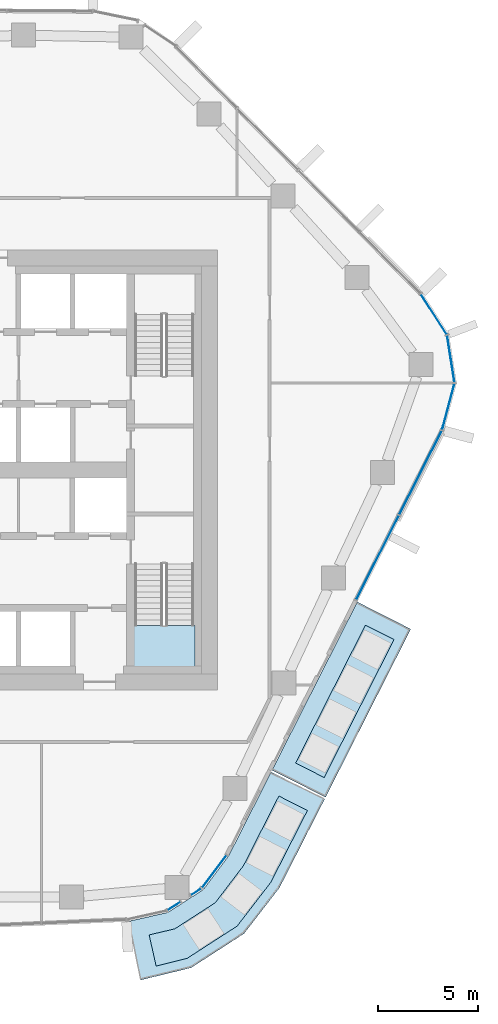
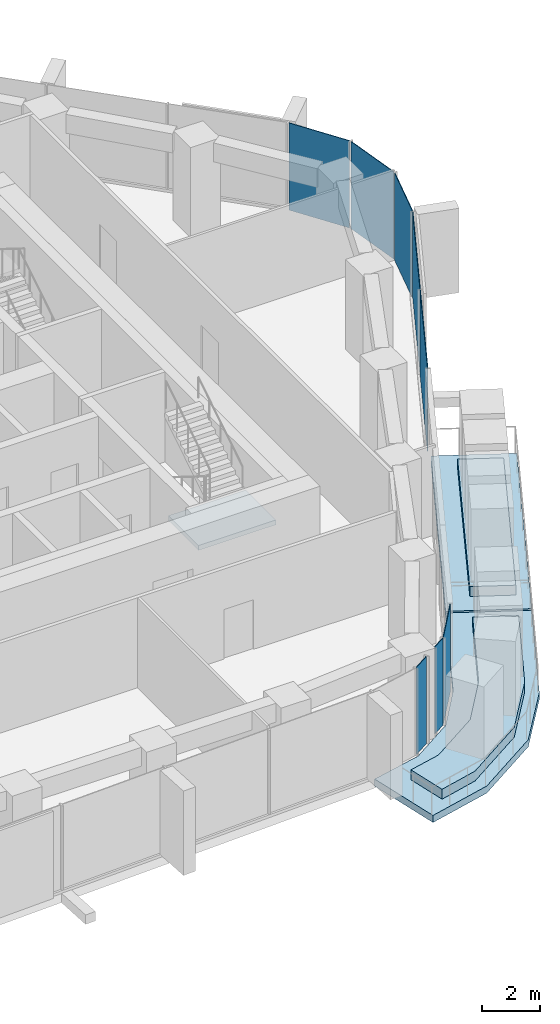
# One storey, part 9 of 17: 8 plates, 5 slabs, 5 elements without a shape of their own.
"""IFC4 building model written with IfcOpenShell, lengths in metres."""

from ifc_helpers import new_model, si_unit, direction, frame, origin, origin_2d, place, context, subcontext, project, spatial, polyline, rectangle, outline, extrude, material, layer, layer_set, type_object, element, aggregate, save


model = new_model("IFC4")

# Units and contexts
model_context = context("Model", 3, precision=1e-05, world=origin(), true_north=direction((0.0, 1.0)))
body_context = subcontext(model_context, "Body", "Model", "MODEL_VIEW")
ifc_project = project(units=[si_unit("LENGTHUNIT", "METRE"), si_unit("AREAUNIT", "SQUARE_METRE"), si_unit("VOLUMEUNIT", "CUBIC_METRE"), si_unit("PLANEANGLEUNIT", "RADIAN"), si_unit("MASSUNIT", "GRAM", prefix="KILO")], contexts=[model_context])

# Site, building, storey
site_placement = place(None, origin())
site = spatial("IfcSite", under=ifc_project, at=site_placement, CompositionType="ELEMENT")
building_placement = place(site_placement, origin())
building = spatial("IfcBuilding", under=site, at=building_placement, Name="Dongbaek Canopy Tower", CompositionType="ELEMENT")
storey_placement = place(building_placement, frame((0.0, 0.0, 175.39990234375)))
storey = spatial("IfcBuildingStorey", under=building, at=storey_placement, Name="L38", CompositionType="ELEMENT", Elevation=175.39990234375)

# Slabs
ifc_material_1 = material(Name="Concrete C40/50", Category="concrete")
ifc_layer_1 = layer(ifc_material_1, 0.300048828125)
ifc_layer_set_1 = layer_set([ifc_layer_1], Name="Balcony slab 300")
slab_type_1 = type_object("IfcSlabType", Name="Balcony slab 300", PredefinedType="FLOOR", material=ifc_layer_set_1)
slab_1_placement = place(storey_placement, frame((0.0, 0.0, -0.2998046875)))
element("IfcSlab", 1, at=slab_1_placement, inside=storey, type_object=slab_type_1, Name="Balcony L38 1", PredefinedType="FLOOR", context=body_context, shape_type="SweptSolid", body=[
    extrude(outline(polyline([(16.719482421875, -15.018798828125), (20.982177734375, -6.60693359375), (23.658203125, -7.962890625), (19.395751953125, -16.374755859375), (16.719482421875, -15.018798828125)])), origin(), (0.0, 0.0, 1.0), 0.2998046875),
])
slab_2_placement = place(storey_placement, frame((0.0, 0.0, -0.2998046875)))
element("IfcSlab", 2, at=slab_2_placement, inside=storey, type_object=slab_type_1, Name="Balcony L38 2", PredefinedType="FLOOR", context=body_context, shape_type="SweptSolid", body=[
    extrude(outline(polyline([(9.501708984375, -22.585205078125), (11.50732421875, -22.13671875), (13.27685546875, -20.995849609375), (14.543212890625, -19.31396484375), (16.67431640625, -15.10791015625), (19.350341796875, -16.464111328125), (17.08935546875, -20.900390625), (15.319580078125, -23.192626953125), (12.66552734375, -24.904052734375), (10.156494140625, -25.512939453125), (9.501708984375, -22.585205078125)])), origin(), (0.0, 0.0, 1.0), 0.2998046875),
])

# Curtain wall, plates
ifc_material_2 = material(Name="Aluminium 6063-T6 pale anodised", Category="aluminium")
ifc_layer_2 = layer(ifc_material_2, 0.199951171875)
ifc_layer_set_2 = layer_set([ifc_layer_2], Name="CW-1 unitised tower curtain wall")
curtain_wall_type = type_object("IfcCurtainWallType", Name="CW-1 unitised tower curtain wall", PredefinedType="NOTDEFINED", material=ifc_layer_set_2)
curtain_wall_1_placement = place(storey_placement, origin())
curtain_wall_1 = element("IfcCurtainWall", 3, at=curtain_wall_1_placement, inside=storey, type_object=curtain_wall_type, Name="CW-1 curtain wall K0.1", PredefinedType="NOTDEFINED")
ifc_material_3 = material(Name="Clear laminated glass", Category="glass")
ifc_layer_3 = layer(ifc_material_3, 0.028076171875)
ifc_layer_set_3 = layer_set([ifc_layer_3], Name="CW-1 glazed panel 28")
plate_type = type_object("IfcPlateType", Name="CW-1 glazed panel 28", PredefinedType="CURTAIN_PANEL", material=ifc_layer_set_3)
plate_1_placement = place(storey_placement, frame((25.5341796875, 3.157470703125, 0.0), z_axis=(0.0, 0.0, 1.0), x_axis=(0.257917045436, 0.966167065095, 0.0)))
plate_1 = element("IfcPlate", 4, at=plate_1_placement, type_object=plate_type, Name="CW-1 panel K0.1.1.1", PredefinedType="CURTAIN_PANEL", context=body_context, shape_type="SweptSolid", body=[
    extrude(rectangle(XDim=2.3642578125, YDim=0.028076171875, at=origin_2d()), origin(), (0.0, 0.0, 1.0), 3.699951171875),
])
plate_2_placement = place(storey_placement, frame((25.661376953125, 5.544189453125, 0.0), z_axis=(0.0, 0.0, 1.0), x_axis=(-0.15481117867, 0.987944076838, 0.0)))
plate_2 = element("IfcPlate", 5, at=plate_2_placement, type_object=plate_type, Name="CW-1 panel K0.1.2.1", PredefinedType="CURTAIN_PANEL", context=body_context, shape_type="SweptSolid", body=[
    extrude(rectangle(XDim=2.353515625, YDim=0.028076171875, at=origin_2d()), origin(), (0.0, 0.0, 1.0), 3.699951171875),
])
plate_3_placement = place(storey_placement, frame((24.810302734375, 7.777587890625, 0.0), z_axis=(0.0, 0.0, 1.0), x_axis=(-0.541094739105, 0.840961641998, 0.0)))
plate_3 = element("IfcPlate", 6, at=plate_3_placement, type_object=plate_type, Name="CW-1 panel K0.1.3.1", PredefinedType="CURTAIN_PANEL", context=body_context, shape_type="SweptSolid", body=[
    extrude(rectangle(XDim=2.3642578125, YDim=0.028076171875, at=origin_2d()), origin(), (0.0, 0.0, 1.0), 3.699951171875),
])
aggregate(curtain_wall_1, [plate_1, plate_2, plate_3])

# Curtain wall, plate
curtain_wall_2_placement = place(storey_placement, origin())
curtain_wall_2 = element("IfcCurtainWall", 7, at=curtain_wall_2_placement, inside=storey, type_object=curtain_wall_type, Name="CW-1 curtain wall K5.1a", PredefinedType="NOTDEFINED")
plate_4_placement = place(storey_placement, frame((11.816162109375, -21.818603515625, 0.0), z_axis=(0.0, 0.0, 1.0), x_axis=(0.8404317739, 0.541917367704, 0.0)))
plate_4 = element("IfcPlate", 8, at=plate_4_placement, type_object=plate_type, Name="CW-1 panel K5.1a.2.1", PredefinedType="CURTAIN_PANEL", context=body_context, shape_type="SweptSolid", body=[
    extrude(rectangle(XDim=0.744140625, YDim=0.028076171875, at=origin_2d()), origin(), (0.0, 0.0, 1.0), 3.699951171875),
])
aggregate(curtain_wall_2, [plate_4])

# Curtain wall, plates
curtain_wall_3_placement = place(storey_placement, origin())
curtain_wall_3 = element("IfcCurtainWall", 9, at=curtain_wall_3_placement, inside=storey, type_object=curtain_wall_type, Name="CW-1 curtain wall K5.1b", PredefinedType="NOTDEFINED")
plate_5_placement = place(storey_placement, frame((12.925048828125, -21.103515625, 0.0), z_axis=(0.0, 0.0, 1.0), x_axis=(0.8404317739, 0.541917367704, 0.0)))
plate_5 = element("IfcPlate", 10, at=plate_5_placement, type_object=plate_type, Name="CW-1 panel K5.1b.1.1", PredefinedType="CURTAIN_PANEL", context=body_context, shape_type="SweptSolid", body=[
    extrude(rectangle(XDim=0.58837890625, YDim=0.028076171875, at=origin_2d()), origin(), (0.0, 0.0, 1.0), 3.699951171875),
])
plate_6_placement = place(storey_placement, frame((13.832763671875, -20.091064453125, 0.0), z_axis=(0.0, 0.0, 1.0), x_axis=(0.601494827227, 0.798876694377, 0.0)))
plate_6 = element("IfcPlate", 11, at=plate_6_placement, type_object=plate_type, Name="CW-1 panel K5.1b.2.1", PredefinedType="CURTAIN_PANEL", context=body_context, shape_type="SweptSolid", body=[
    extrude(rectangle(XDim=1.99462890625, YDim=0.028076171875, at=origin_2d()), origin(), (0.0, 0.0, 1.0), 3.699951171875),
])
aggregate(curtain_wall_3, [plate_5, plate_6])

curtain_wall_4_placement = place(storey_placement, origin())
curtain_wall_4 = element("IfcCurtainWall", 12, at=curtain_wall_4_placement, inside=storey, type_object=curtain_wall_type, Name="CW-1 curtain wall F5.1", PredefinedType="NOTDEFINED")
plate_7_placement = place(storey_placement, frame((21.992431640625, -4.391845703125, 0.1201171875), z_axis=(0.0, 0.0, 1.0), x_axis=(0.452009379459, 0.892013184253, 0.0)))
plate_7 = element("IfcPlate", 13, at=plate_7_placement, type_object=plate_type, Name="CW-1 panel F5.1.1.1", PredefinedType="CURTAIN_PANEL", context=body_context, shape_type="SweptSolid", body=[
    extrude(rectangle(XDim=4.68115234375, YDim=0.028076171875, at=origin_2d()), origin(), (0.0, 0.0, 1.0), 3.580078125),
])
plate_8_placement = place(storey_placement, frame((24.14404296875, -0.14599609375, 0.1201171875), z_axis=(0.0, 0.0, 1.0), x_axis=(0.452009379459, 0.892013184253, 0.0)))
plate_8 = element("IfcPlate", 14, at=plate_8_placement, type_object=plate_type, Name="CW-1 panel F5.1.2.1", PredefinedType="CURTAIN_PANEL", context=body_context, shape_type="SweptSolid", body=[
    extrude(rectangle(XDim=4.670654296875, YDim=0.028076171875, at=origin_2d()), origin(), (0.0, 0.0, 1.0), 3.580078125),
])
aggregate(curtain_wall_4, [plate_7, plate_8])

# Stair, slab
ifc_material_4 = material(Name="Concrete C40/50", Category="concrete")
stair_type = type_object("IfcStairType", Name="Core exit stair", PredefinedType="HALF_TURN_STAIR", material=ifc_material_4)
stair_placement = place(storey_placement, origin())
stair = element("IfcStair", 15, at=stair_placement, inside=storey, type_object=stair_type, Name="L38 exit stair B", PredefinedType="HALF_TURN_STAIR")
ifc_material_5 = material(Name="Concrete C40/50", Category="concrete")
ifc_layer_4 = layer(ifc_material_5, 0.199951171875)
ifc_layer_set_4 = layer_set([ifc_layer_4], Name="Core stair landing 200")
slab_type_2 = type_object("IfcSlabType", Name="Core stair landing 200", PredefinedType="LANDING", material=ifc_layer_set_4)
slab_3_placement = place(storey_placement, frame((0.0, 0.0, 1.900146484375)))
slab_3 = element("IfcSlab", 16, at=slab_3_placement, type_object=slab_type_2, Name="ST-B landing 1", PredefinedType="LANDING", context=body_context, shape_type="SweptSolid", body=[
    extrude(outline(polyline([(9.77490234375, -7.780029296875), (9.77490234375, -9.875), (12.875, -9.875), (12.875, -7.780029296875), (9.77490234375, -7.780029296875)])), origin(), (0.0, 0.0, 1.0), 0.199951171875),
])
aggregate(stair, [slab_3])

# Slabs
ifc_material_6 = material(Name="Reinforced concrete C40/50 planter box with soil", Category="concrete")
ifc_layer_5 = layer(ifc_material_6, 0.419921875)
ifc_layer_set_5 = layer_set([ifc_layer_5], Name="Terrace planter box 1600 x 420")
slab_type_3 = type_object("IfcSlabType", Name="Terrace planter box 1600 x 420", PredefinedType="USERDEFINED", material=ifc_layer_set_5)
slab_4_placement = place(storey_placement, origin())
element("IfcSlab", 17, at=slab_4_placement, inside=storey, type_object=slab_type_3, Name="Balcony planter L38 1", ObjectType="PLANTER", PredefinedType="USERDEFINED", context=body_context, shape_type="SweptSolid", body=[
    extrude(outline(polyline([(17.897705078125, -14.662841796875), (21.391845703125, -7.767333984375), (22.819091796875, -8.49072265625), (19.324951171875, -15.385986328125), (17.897705078125, -14.662841796875)])), origin(), (0.0, 0.0, 1.0), 0.420166015625),
])
slab_5_placement = place(storey_placement, origin())
element("IfcSlab", 18, at=slab_5_placement, inside=storey, type_object=slab_type_3, Name="Balcony planter L38 2", ObjectType="PLANTER", PredefinedType="USERDEFINED", context=body_context, shape_type="SweptSolid", body=[
    extrude(outline(polyline([(10.57421875, -23.25732421875), (11.85107421875, -22.957763671875), (13.8828125, -21.6474609375), (15.298583984375, -19.78466796875), (17.0615234375, -16.31298828125), (18.48876953125, -17.036376953125), (16.656494140625, -20.630615234375), (14.972412109375, -22.8193359375), (12.46875, -24.43359375), (10.92333984375, -24.81884765625), (10.57421875, -23.25732421875)])), origin(), (0.0, 0.0, 1.0), 0.420166015625),
])

save(model, "model.ifc")
